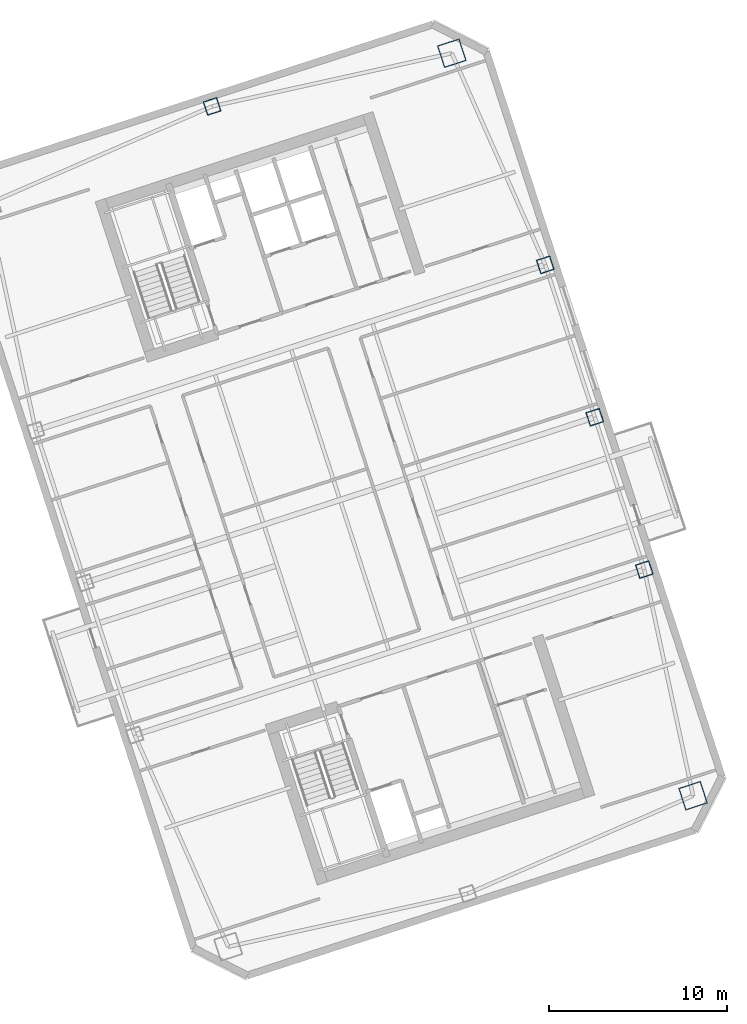
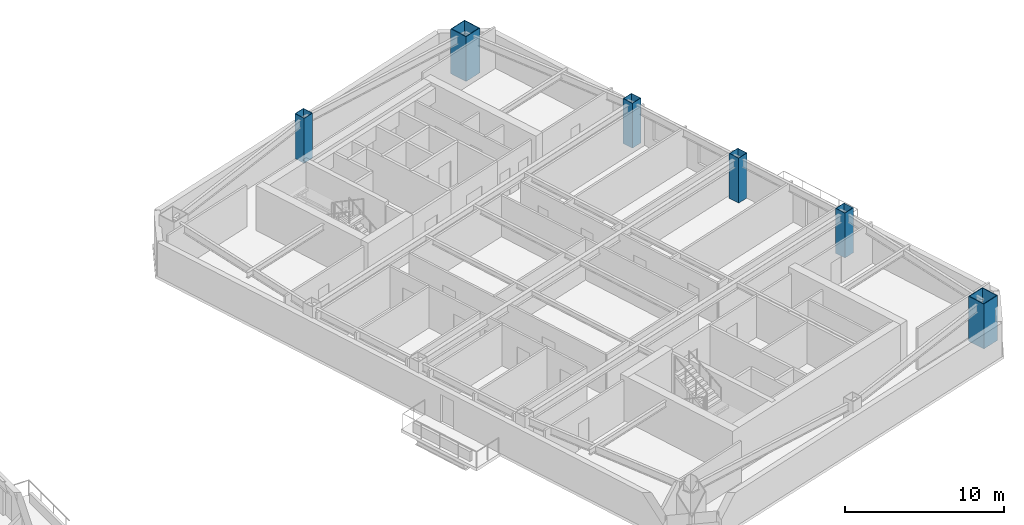
# One storey, part 2 of 15: 6 columns.
"""IFC4 building model written with IfcOpenShell, lengths in metres."""

from ifc_helpers import new_model, si_unit, direction, frame, origin, origin_2d, place, context, subcontext, project, spatial, hollow_rectangle, extrude, material, material_profile, profile_set, type_object, element, save


model = new_model("IFC4")

# Units and contexts
model_context = context("Model", 3, precision=1e-05, world=origin(), true_north=direction((0.0, 1.0)))
body_context = subcontext(model_context, "Body", "Model", "MODEL_VIEW")
ifc_project = project(units=[si_unit("LENGTHUNIT", "METRE"), si_unit("AREAUNIT", "SQUARE_METRE"), si_unit("VOLUMEUNIT", "CUBIC_METRE"), si_unit("PLANEANGLEUNIT", "RADIAN"), si_unit("MASSUNIT", "GRAM", prefix="KILO")], contexts=[model_context])

# Site, building, storey
site_placement = place(None, origin())
site = spatial("IfcSite", under=ifc_project, at=site_placement, CompositionType="ELEMENT")
building_placement = place(site_placement, origin())
building = spatial("IfcBuilding", under=site, at=building_placement, Name="Qiaolan Cultural Towers", CompositionType="ELEMENT")
storey_placement = place(building_placement, frame((0.0, 0.0, 166.75)))
storey = spatial("IfcBuildingStorey", under=building, at=storey_placement, Name="L44", CompositionType="ELEMENT", Elevation=166.75)

# Columns
ifc_material_1 = material(Name="Steel Q390GJB", Category="steel")
ifc_material_profile_1 = material_profile(ifc_material_1, hollow_rectangle(XDim=1.300048828125, YDim=1.300048828125, WallThickness=0.044921875, at=origin_2d()), Name="BOX1300x1300x45")
ifc_profile_set_1 = profile_set([ifc_material_profile_1], Name="Steel Q390GJB")
column_type_1 = type_object("IfcColumnType", Name="COL-BOX1300x1300x45", PredefinedType="COLUMN", material=ifc_profile_set_1)
for number, where, z_axis, x_axis, name in (
    (1, (109.834716796875, 17.38623046875, 0.0), (0.0, 0.0, 1.0), (0.951056516295, 0.309016994375, 0.0), "L44 T2 Perimeter Column MC-SE"),
    (2, (96.28125, 59.099365234375, 0.0), (0.0, 0.0, 1.0), (0.951056516295, 0.309016994375, 0.0), "L44 T2 Perimeter Column MC-NE"),
):
    element("IfcColumn", number, at=place(storey_placement, frame(where, z_axis=z_axis, x_axis=x_axis)), inside=storey, type_object=column_type_1, Name=name, PredefinedType="COLUMN", context=body_context, shape_type="SweptSolid", body=[
        extrude(hollow_rectangle(XDim=1.300048828125, YDim=1.300048828125, WallThickness=0.044921875, at=origin_2d()), origin(), (0.0, 0.0, 1.0), 3.450927734375),
    ])
ifc_material_2 = material(Name="Steel Q355B", Category="steel")
ifc_material_profile_2 = material_profile(ifc_material_2, hollow_rectangle(XDim=0.800048828125, YDim=0.800048828125, WallThickness=0.028076171875, at=origin_2d()), Name="BOX800x800x28")
ifc_profile_set_2 = profile_set([ifc_material_profile_2], Name="Steel Q355B")
column_type_2 = type_object("IfcColumnType", Name="COL-BOX800x800x28", PredefinedType="COLUMN", material=ifc_profile_set_2)
for number, where, z_axis, x_axis, name in (
    (3, (107.094482421875, 30.09130859375, 0.0), (0.0, 0.0, 1.0), (0.951056516295, 0.309016994375, 0.0), "L44 T2 Perimeter Column PC-E1"),
    (4, (104.3134765625, 38.650634765625, 0.0), (0.0, 0.0, 1.0), (0.951056516295, 0.309016994375, 0.0), "L44 T2 Perimeter Column PC-E2"),
    (5, (101.5322265625, 47.210205078125, 0.0), (0.0, 0.0, 1.0), (0.951056516295, 0.309016994375, 0.0), "L44 T2 Perimeter Column PC-E3"),
    (6, (82.8154296875, 56.112060546875, 0.0), (0.0, 0.0, 1.0), (0.951056516295, 0.309016994375, 0.0), "L44 T2 Perimeter Column PC-N0"),
):
    element("IfcColumn", number, at=place(storey_placement, frame(where, z_axis=z_axis, x_axis=x_axis)), inside=storey, type_object=column_type_2, Name=name, PredefinedType="COLUMN", context=body_context, shape_type="SweptSolid", body=[
        extrude(hollow_rectangle(XDim=0.800048828125, YDim=0.800048828125, WallThickness=0.028076171875, at=origin_2d()), origin(), (0.0, 0.0, 1.0), 3.450927734375),
    ])

save(model, "model.ifc")
